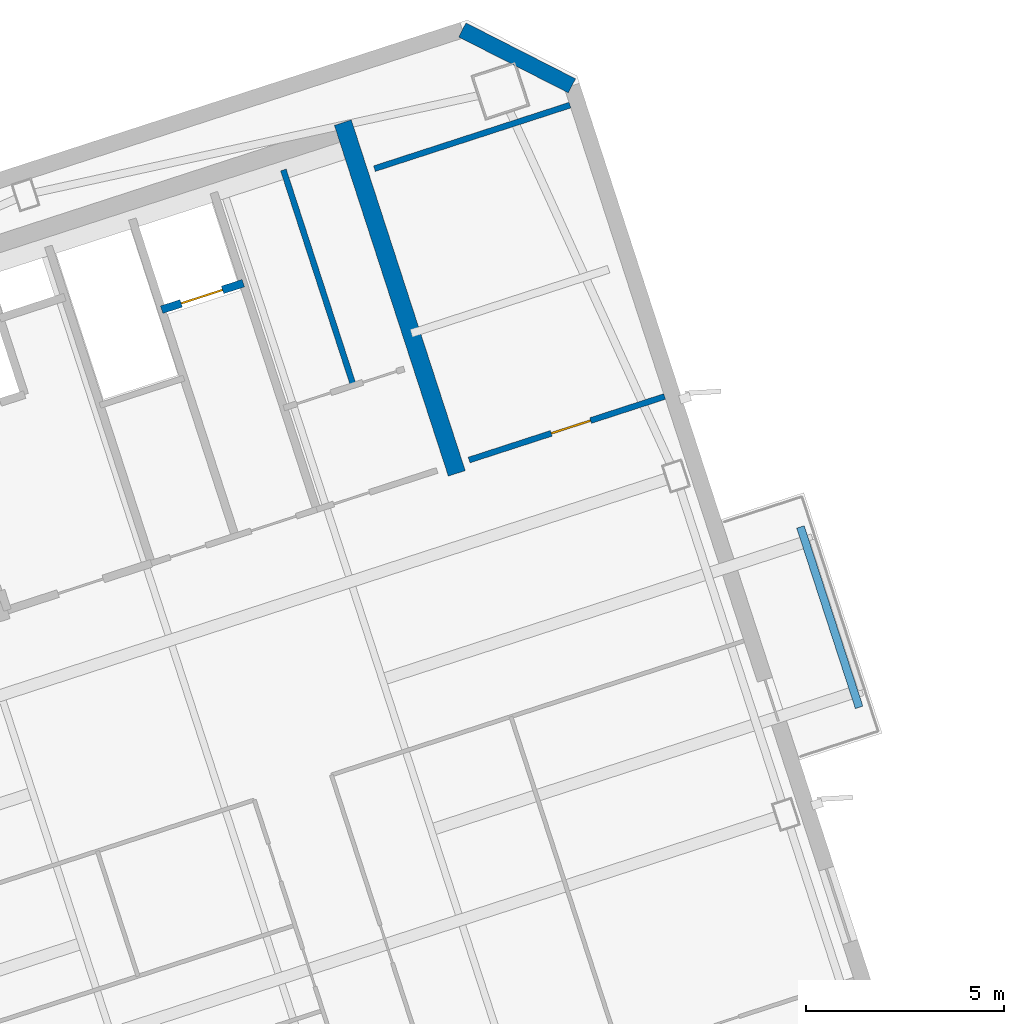
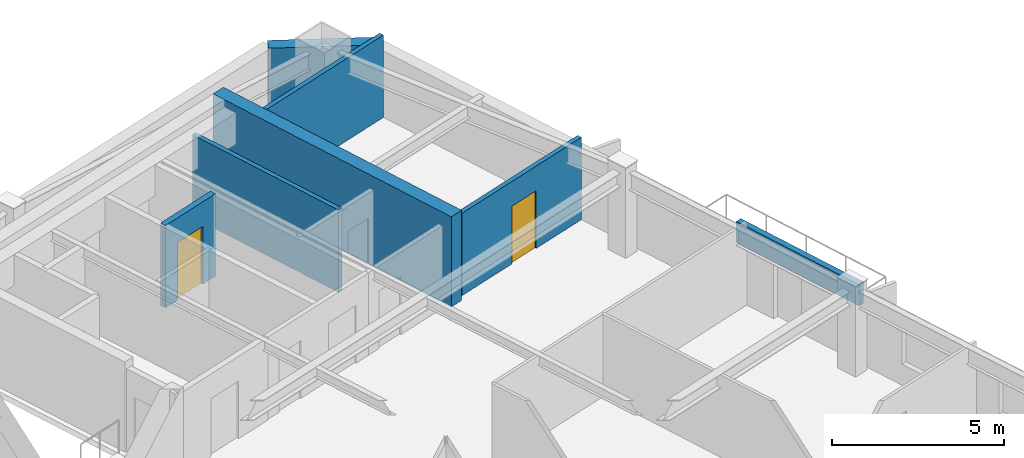
# One storey, part 10 of 17: 7 walls, 2 doors, 2 openings.
"""IFC4 building model written with IfcOpenShell, lengths in metres."""

from ifc_helpers import new_model, si_unit, direction, frame, frame_2d, origin, place, context, subcontext, project, spatial, rectangle, extrude, material, layer, layer_set, type_object, element, fill, save


model = new_model("IFC4")

# Units and contexts
model_context = context("Model", 3, precision=1e-05, world=origin(), true_north=direction((0.0, 1.0)))
body_context = subcontext(model_context, "Body", "Model", "MODEL_VIEW")
ifc_project = project(units=[si_unit("LENGTHUNIT", "METRE"), si_unit("AREAUNIT", "SQUARE_METRE"), si_unit("VOLUMEUNIT", "CUBIC_METRE"), si_unit("PLANEANGLEUNIT", "RADIAN"), si_unit("MASSUNIT", "GRAM", prefix="KILO")], contexts=[model_context])

# Site, building, storey
site_placement = place(None, origin())
site = spatial("IfcSite", under=ifc_project, at=site_placement, CompositionType="ELEMENT")
building_placement = place(site_placement, origin())
building = spatial("IfcBuilding", under=site, at=building_placement, Name="Qiaolan Cultural Towers", CompositionType="ELEMENT")
storey_placement = place(building_placement, frame((0.0, 0.0, 247.199951171875)))
storey = spatial("IfcBuildingStorey", under=building, at=storey_placement, Name="L67", CompositionType="ELEMENT", Elevation=247.199951171875)

# Walls
ifc_material_1 = material(Name="Concrete C50", Category="concrete")
ifc_layer_1 = layer(ifc_material_1, 0.449951171875)
ifc_layer_set_1 = layer_set([ifc_layer_1], Name="Concrete C50")
wall_type_1 = type_object("IfcWallType", Name="WL-CORE-450", PredefinedType="SHEAR", material=ifc_layer_set_1)
wall_1_placement = place(storey_placement, frame((94.468994140625, 46.781494140625, 0.0), z_axis=(0.0, 0.0, 1.0), x_axis=(-0.309004419953, 0.951060601881, 0.0)))
element("IfcWall", 1, at=wall_1_placement, inside=storey, type_object=wall_type_1, Name="L67 T2-CN East Core Shear Wall", PredefinedType="SHEAR", context=body_context, shape_type="SweptSolid", body=[
    extrude(rectangle(XDim=9.330078125, YDim=0.449951171875, at=frame_2d((4.6650390625, 0.0))), origin(), (0.0, 0.0, 1.0), 3.199951171875),
])
ifc_material_2 = material(Name="Precast Concrete C50 Honed Stone Pier", Category="masonry")
ifc_layer_2 = layer(ifc_material_2, 0.39990234375)
ifc_layer_set_2 = layer_set([ifc_layer_2], Name="Precast Concrete C50 Honed Stone Pier")
wall_type_2 = type_object("IfcWallType", Name="WL-EXT-PIER-400", PredefinedType="SOLIDWALL", material=ifc_layer_set_2)
wall_2_placement = place(storey_placement, frame((94.609619140625, 57.9990234375, 0.0), z_axis=(0.0, 0.0, 1.0), x_axis=(0.890979603174, -0.454043331334, 0.0)))
element("IfcWall", 2, at=wall_2_placement, inside=storey, type_object=wall_type_2, Name="L67 East Tower Precast Pier Facade Wall F4", PredefinedType="SOLIDWALL", context=body_context, shape_type="SweptSolid", body=[
    extrude(rectangle(XDim=3.111083984375, YDim=0.39990234375, at=frame_2d((1.5556640625, 0.0))), origin(), (0.0, 0.0, 1.0), 2.360107421875),
])

# Wall, opening, door
ifc_material_3 = material(Name="Concrete C35 Fire Wall", Category="concrete")
ifc_layer_3 = layer(ifc_material_3, 0.199951171875)
ifc_layer_set_3 = layer_set([ifc_layer_3], Name="Concrete C35 Fire Wall")
wall_type_3 = type_object("IfcWallType", Name="WL-FIRE-200", PredefinedType="PARTITIONING", material=ifc_layer_set_3)
wall_3_placement = place(storey_placement, frame((87.004150390625, 50.92236328125, 0.0), z_axis=(0.0, 0.0, 1.0), x_axis=(0.951041509718, 0.309063176055, 0.0)))
wall_3 = element("IfcWall", 3, at=wall_3_placement, inside=storey, type_object=wall_type_3, Name="L67 T2-CN Shuttle Lift Shaft Front", PredefinedType="PARTITIONING", context=body_context, shape_type="SweptSolid", body=[
    extrude(rectangle(XDim=2.169921875, YDim=0.199951171875, at=frame_2d((1.0849609375, 0.0))), origin(), (0.0, 0.0, 1.0), 2.925048828125),
])
opening_1_placement = place(wall_3_placement, frame((0.52001953125, 0.0, 0.0)))
opening_1 = element("IfcOpeningElement", 4, at=opening_1_placement, cuts=wall_3, Name="Opening LD-01", PredefinedType="OPENING", context=body_context, shape_type="SweptSolid", body=[
    extrude(rectangle(XDim=1.10009765625, YDim=2.050048828125, at=frame_2d((0.550048828125, 1.02490234375))), frame((0.0, 0.10986328125, 0.0), z_axis=(0.0, -1.0, 0.0), x_axis=(1.0, 0.0, 0.0)), (0.0, 0.0, 1.0), 0.219970703125),
])
ifc_material_4 = material(Name="Brushed Stainless Steel S30408 Centre-Parting Lift Landing Door", Category="steel")
door_type_1 = type_object("IfcDoorType", Name="DR-LIFT-1100", OperationType="NOTDEFINED", PredefinedType="DOOR", material=ifc_material_4)
door_1_placement = place(opening_1_placement, origin())
door_1 = element("IfcDoor", 5, at=door_1_placement, inside=storey, type_object=door_type_1, Name="L67 Sky Shuttle Lift Landing Door", OperationType="DOUBLE_DOOR_SLIDING", OverallHeight=2.050048828125, OverallWidth=1.10009765625, PredefinedType="DOOR", context=body_context, shape_type="SweptSolid", body=[
    extrude(rectangle(XDim=1.10009765625, YDim=2.050048828125, at=frame_2d((0.550048828125, 1.02490234375))), frame((0.0, 0.02490234375, 0.0), z_axis=(0.0, -1.0, 0.0), x_axis=(1.0, 0.0, 0.0)), (0.0, 0.0, 1.0), 0.050048828125),
])
fill(opening_1, door_1)

# Walls
ifc_material_5 = material(Name="Autoclaved Aerated Concrete Block B06", Category="concrete")
ifc_layer_4 = layer(ifc_material_5, 0.14990234375)
ifc_layer_set_4 = layer_set([ifc_layer_4], Name="Autoclaved Aerated Concrete Block B06")
wall_type_4 = type_object("IfcWallType", Name="WL-PART-150", PredefinedType="PARTITIONING", material=ifc_layer_set_4)
wall_4_placement = place(storey_placement, frame((91.853271484375, 49.007080078125, 0.0), z_axis=(0.0, 0.0, 1.0), x_axis=(-0.309022487551, 0.951054731437, 0.0)))
element("IfcWall", 6, at=wall_4_placement, inside=storey, type_object=wall_type_4, Name="L67 T2-CN Restroom Divider Wall", PredefinedType="PARTITIONING", context=body_context, shape_type="SweptSolid", body=[
    extrude(rectangle(XDim=5.730224609375, YDim=0.14990234375, at=frame_2d((2.865234375, 0.0))), origin(), (0.0, 0.0, 1.0), 2.925048828125),
])
wall_5_placement = place(storey_placement, frame((92.385009765625, 54.48974609375, 0.0), z_axis=(0.0, 0.0, 1.0), x_axis=(0.951055112834, 0.309021313752, 0.0)))
element("IfcWall", 7, at=wall_5_placement, inside=storey, type_object=wall_type_4, Name="L67 T2 Flank Wall FLK-NE", PredefinedType="PARTITIONING", context=body_context, shape_type="SweptSolid", body=[
    extrude(rectangle(XDim=5.2001953125, YDim=0.14990234375, at=frame_2d((2.60009765625, 0.0))), origin(), (0.0, 0.0, 1.0), 2.925048828125),
])

# Wall, opening, door
wall_6_placement = place(storey_placement, frame((94.77978515625, 47.119140625, 0.0), z_axis=(0.0, 0.0, 1.0), x_axis=(0.951055112834, 0.309021313752, 0.0)))
wall_6 = element("IfcWall", 8, at=wall_6_placement, inside=storey, type_object=wall_type_4, Name="L67 T2 Flank Front FLK-NE", PredefinedType="PARTITIONING", context=body_context, shape_type="SweptSolid", body=[
    extrude(rectangle(XDim=5.2001953125, YDim=0.14990234375, at=frame_2d((2.60009765625, 0.0))), origin(), (0.0, 0.0, 1.0), 2.925048828125),
])
opening_2_placement = place(wall_6_placement, frame((2.18408203125, 0.0, 0.0)))
opening_2 = element("IfcOpeningElement", 9, at=opening_2_placement, cuts=wall_6, Name="Opening ID-07", PredefinedType="OPENING", context=body_context, shape_type="SweptSolid", body=[
    extrude(rectangle(XDim=1.050048828125, YDim=2.050048828125, at=frame_2d((0.52490234375, 1.02490234375))), frame((0.0, 0.0849609375, 0.0), z_axis=(0.0, -1.0, 0.0), x_axis=(1.0, 0.0, 0.0)), (0.0, 0.0, 1.0), 0.169921875),
])
ifc_material_6 = material(Name="Oak Veneer Consultation Door", Category="timber")
door_type_2 = type_object("IfcDoorType", Name="DR-INT-1050", OperationType="NOTDEFINED", PredefinedType="DOOR", material=ifc_material_6)
door_2_placement = place(opening_2_placement, origin())
door_2 = element("IfcDoor", 10, at=door_2_placement, inside=storey, type_object=door_type_2, Name="L67 T2 Corner Studio Door", OperationType="SINGLE_SWING_LEFT", OverallHeight=2.050048828125, OverallWidth=1.050048828125, PredefinedType="DOOR", context=body_context, shape_type="SweptSolid", body=[
    extrude(rectangle(XDim=1.050048828125, YDim=2.050048828125, at=frame_2d((0.52490234375, 1.02490234375))), frame((0.0, 0.02490234375, 0.0), z_axis=(0.0, -1.0, 0.0), x_axis=(1.0, 0.0, 0.0)), (0.0, 0.0, 1.0), 0.050048828125),
])
fill(opening_2, door_2)

# Wall
ifc_material_7 = material(Name="Precast Concrete C45 Tree Planter Upstand", Category="concrete")
ifc_layer_5 = layer(ifc_material_7, 0.199951171875)
ifc_layer_set_5 = layer_set([ifc_layer_5], Name="Precast Concrete C45 Tree Planter Upstand")
wall_type_5 = type_object("IfcWallType", Name="WL-PLANTER-200", PredefinedType="PARAPET", material=ifc_layer_set_5)
wall_7_placement = place(storey_placement, frame((104.646484375, 40.86181640625, 0.0), z_axis=(0.0, 0.0, 1.0), x_axis=(-0.309032019345, 0.951051634255, 0.0)))
element("IfcWall", 11, at=wall_7_placement, inside=storey, type_object=wall_type_5, Name="L67 T2 Tree Balcony Soil Planter Box E", PredefinedType="PARAPET", context=body_context, shape_type="SweptSolid", body=[
    extrude(rectangle(XDim=4.800048828125, YDim=0.199951171875, at=frame_2d((2.39990234375, 0.0))), origin(), (0.0, 0.0, 1.0), 0.75),
])

save(model, "model.ifc")
